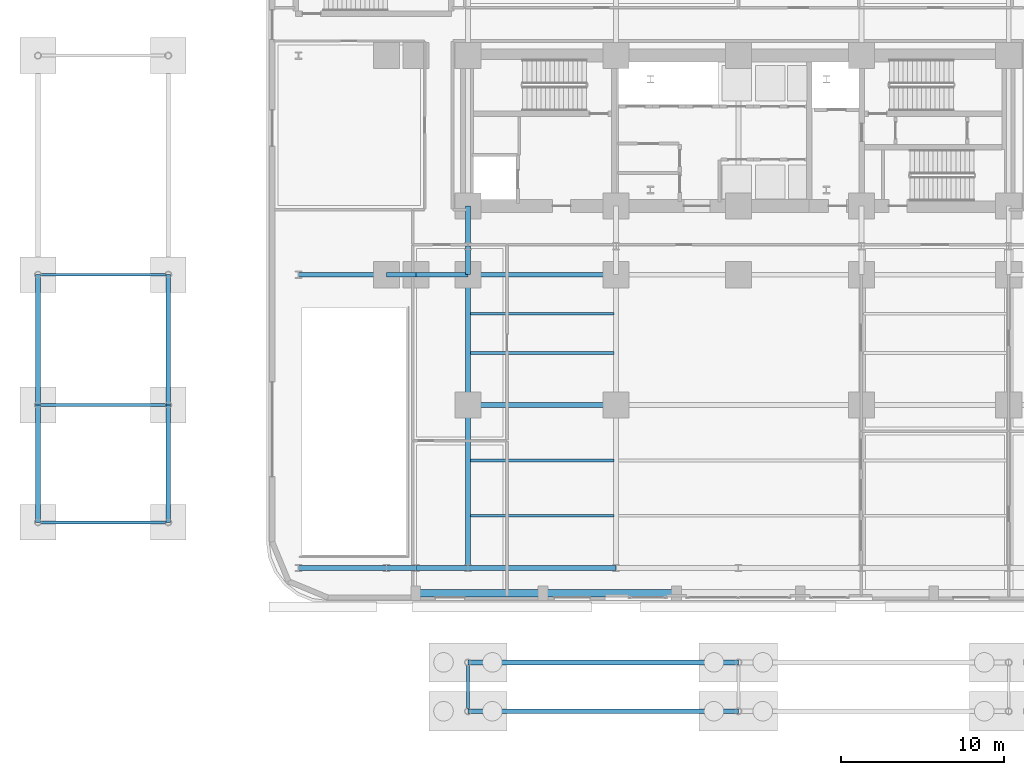
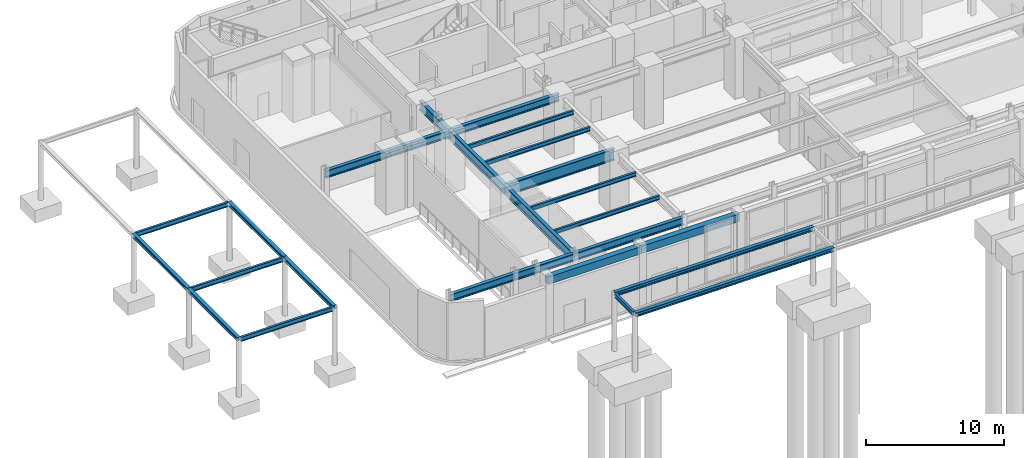
# One storey, part 7 of 21: 29 beams.
"""IFC4 building model written with IfcOpenShell, lengths in metres."""

from ifc_helpers import new_model, si_unit, direction, frame, origin, origin_2d, place, context, subcontext, project, spatial, rectangle, i_section, extrude, material, material_profile, profile_set, type_object, element, save


model = new_model("IFC4")

# Units and contexts
model_context = context("Model", 3, precision=1e-05, world=origin(), true_north=direction((0.0, 1.0)))
body_context = subcontext(model_context, "Body", "Model", "MODEL_VIEW")
ifc_project = project(units=[si_unit("LENGTHUNIT", "METRE"), si_unit("AREAUNIT", "SQUARE_METRE"), si_unit("VOLUMEUNIT", "CUBIC_METRE"), si_unit("PLANEANGLEUNIT", "RADIAN"), si_unit("MASSUNIT", "GRAM", prefix="KILO")], contexts=[model_context])

# Site, building, storey
site_placement = place(None, origin())
site = spatial("IfcSite", under=ifc_project, at=site_placement, CompositionType="ELEMENT")
building_placement = place(site_placement, origin())
building = spatial("IfcBuilding", under=site, at=building_placement, Name="Zarnavel Station Tower", CompositionType="ELEMENT")
storey_placement = place(building_placement, origin())
storey = spatial("IfcBuildingStorey", under=building, at=storey_placement, Name="L01", CompositionType="ELEMENT", Elevation=0.0)

# Beams
ifc_material_1 = material(Name="Steel S355J2", Category="steel")
ifc_material_profile_1 = material_profile(ifc_material_1, i_section(OverallWidth=0.300048828125, OverallDepth=0.320068359375, WebThickness=0.011474609375, FlangeThickness=0.0205078125, FilletRadius=0.027099609375, at=origin_2d()), Name="HEB320")
ifc_profile_set_1 = profile_set([ifc_material_profile_1], Name="Steel S355J2")
beam_type_1 = type_object("IfcBeamType", Name="EB_HEB320", PredefinedType="SPANDREL", material=ifc_profile_set_1)
beam_1_placement = place(storey_placement, frame((-6.199951171875, 8.39990234375, 5.0), z_axis=(0.0, 1.0, 0.0), x_axis=(-1.0, 0.0, 0.0)))
element("IfcBeam", 1, at=beam_1_placement, inside=storey, type_object=beam_type_1, Name="West Forecourt Canopy Girder 1-01", PredefinedType="SPANDREL", context=body_context, shape_type="SweptSolid", body=[
    extrude(i_section(OverallWidth=0.300048828125, OverallDepth=0.320068359375, WebThickness=0.011474609375, FlangeThickness=0.0205078125, FilletRadius=0.027099609375, at=origin_2d()), origin(), (0.0, 0.0, 1.0), 7.2001953125),
])
beam_2_placement = place(storey_placement, frame((-6.199951171875, 15.60009765625, 5.0), z_axis=(0.0, 1.0, 0.0), x_axis=(-1.0, 0.0, 0.0)))
element("IfcBeam", 2, at=beam_2_placement, inside=storey, type_object=beam_type_1, Name="West Forecourt Canopy Girder 1-02", PredefinedType="SPANDREL", context=body_context, shape_type="SweptSolid", body=[
    extrude(i_section(OverallWidth=0.300048828125, OverallDepth=0.320068359375, WebThickness=0.011474609375, FlangeThickness=0.0205078125, FilletRadius=0.027099609375, at=origin_2d()), origin(), (0.0, 0.0, 1.0), 8.0),
])
beam_3_placement = place(storey_placement, frame((-14.199951171875, 8.39990234375, 5.0), z_axis=(0.0, 1.0, 0.0), x_axis=(-1.0, 0.0, 0.0)))
element("IfcBeam", 3, at=beam_3_placement, inside=storey, type_object=beam_type_1, Name="West Forecourt Canopy Girder 2-01", PredefinedType="SPANDREL", context=body_context, shape_type="SweptSolid", body=[
    extrude(i_section(OverallWidth=0.300048828125, OverallDepth=0.320068359375, WebThickness=0.011474609375, FlangeThickness=0.0205078125, FilletRadius=0.027099609375, at=origin_2d()), origin(), (0.0, 0.0, 1.0), 7.2001953125),
])
beam_4_placement = place(storey_placement, frame((-14.199951171875, 15.60009765625, 5.0), z_axis=(0.0, 1.0, 0.0), x_axis=(-1.0, 0.0, 0.0)))
element("IfcBeam", 4, at=beam_4_placement, inside=storey, type_object=beam_type_1, Name="West Forecourt Canopy Girder 2-02", PredefinedType="SPANDREL", context=body_context, shape_type="SweptSolid", body=[
    extrude(i_section(OverallWidth=0.300048828125, OverallDepth=0.320068359375, WebThickness=0.011474609375, FlangeThickness=0.0205078125, FilletRadius=0.027099609375, at=origin_2d()), origin(), (0.0, 0.0, 1.0), 8.0),
])
ifc_material_2 = material(Name="Steel S355J2", Category="steel")
ifc_material_profile_2 = material_profile(ifc_material_2, i_section(OverallWidth=0.300048828125, OverallDepth=0.360107421875, WebThickness=0.012451171875, FlangeThickness=0.0224609375, FilletRadius=0.027099609375, at=origin_2d()), Name="HEB360")
ifc_profile_set_2 = profile_set([ifc_material_profile_2], Name="Steel S355J2")
beam_type_2 = type_object("IfcBeamType", Name="EB_HEB360", PredefinedType="SPANDREL", material=ifc_profile_set_2)
for number, where, z_axis, x_axis, name in (
    (5, (12.199951171875, -3.199951171875, 4.97998046875), (1.0, 0.0, 0.0), (0.0, 1.0, 0.0), "Station Portal Canopy Girder 1-01"),
    (6, (12.199951171875, -0.199951171875, 4.97998046875), (1.0, 0.0, 0.0), (0.0, 1.0, 0.0), "Station Portal Canopy Girder 2-01"),
):
    element("IfcBeam", number, at=place(storey_placement, frame(where, z_axis=z_axis, x_axis=x_axis)), inside=storey, type_object=beam_type_2, Name=name, PredefinedType="SPANDREL", context=body_context, shape_type="SweptSolid", body=[
        extrude(i_section(OverallWidth=0.300048828125, OverallDepth=0.360107421875, WebThickness=0.012451171875, FlangeThickness=0.0224609375, FilletRadius=0.027099609375, at=origin_2d()), origin(), (0.0, 0.0, 1.0), 16.60009765625),
    ])
ifc_material_3 = material(Name="Steel S355J2", Category="steel")
ifc_material_profile_3 = material_profile(ifc_material_3, i_section(OverallWidth=0.179931640625, OverallDepth=0.39990234375, WebThickness=0.008544921875, FlangeThickness=0.013427734375, FilletRadius=0.02099609375, at=origin_2d()), Name="IPE400")
ifc_profile_set_3 = profile_set([ifc_material_profile_3], Name="Steel S355J2")
beam_type_3 = type_object("IfcBeamType", Name="FB_IPE400", PredefinedType="BEAM", material=ifc_profile_set_3)
beam_5_placement = place(storey_placement, frame((12.199951171875, -3.054931640625, 4.9599609375), z_axis=(0.0, 1.0, 0.0), x_axis=(-1.0, 0.0, 0.0)))
element("IfcBeam", 7, at=beam_5_placement, inside=storey, type_object=beam_type_3, Name="Station Portal Tie Beam 01", PredefinedType="BEAM", context=body_context, shape_type="SweptSolid", body=[
    extrude(i_section(OverallWidth=0.179931640625, OverallDepth=0.39990234375, WebThickness=0.008544921875, FlangeThickness=0.013427734375, FilletRadius=0.02099609375, at=origin_2d()), origin(), (0.0, 0.0, 1.0), 2.7099609375),
])
for number, where, z_axis, x_axis, name in (
    (8, (-14.054931640625, 8.39990234375, 4.9599609375), (1.0, 0.0, 0.0), (0.0, 1.0, 0.0), "West Canopy Tie 01"),
    (9, (-14.054931640625, 15.60009765625, 4.9599609375), (1.0, 0.0, 0.0), (0.0, 1.0, 0.0), "West Canopy Tie 02"),
    (10, (-14.054931640625, 23.60009765625, 4.9599609375), (1.0, 0.0, 0.0), (0.0, 1.0, 0.0), "West Canopy Tie 03"),
):
    element("IfcBeam", number, at=place(storey_placement, frame(where, z_axis=z_axis, x_axis=x_axis)), inside=storey, type_object=beam_type_3, Name=name, PredefinedType="BEAM", context=body_context, shape_type="SweptSolid", body=[
        extrude(i_section(OverallWidth=0.179931640625, OverallDepth=0.39990234375, WebThickness=0.008544921875, FlangeThickness=0.013427734375, FilletRadius=0.02099609375, at=origin_2d()), origin(), (0.0, 0.0, 1.0), 7.7099609375),
    ])
ifc_material_4 = material(Name="Steel S355J2", Category="steel")
ifc_material_profile_4 = material_profile(ifc_material_4, i_section(OverallWidth=0.300048828125, OverallDepth=0.64990234375, WebThickness=0.01611328125, FlangeThickness=0.031005859375, FilletRadius=0.027099609375, at=origin_2d()), Name="HEB650")
ifc_profile_set_4 = profile_set([ifc_material_profile_4], Name="Steel S355J2")
beam_type_4 = type_object("IfcBeamType", Name="FG_HEB650", PredefinedType="USERDEFINED", material=ifc_profile_set_4)
beam_6_placement = place(storey_placement, frame((1.800048828125, 5.60009765625, 4.77490234375), z_axis=(1.0, 0.0, 0.0), x_axis=(0.0, 1.0, 0.0)))
element("IfcBeam", 11, at=beam_6_placement, inside=storey, type_object=beam_type_4, Name="L01 EW Frame Girder 1-1", ObjectType="GIRDER", PredefinedType="USERDEFINED", context=body_context, shape_type="SweptSolid", body=[
    extrude(i_section(OverallWidth=0.300048828125, OverallDepth=0.64990234375, WebThickness=0.01611328125, FlangeThickness=0.031005859375, FilletRadius=0.027099609375, at=origin_2d()), origin(), (0.0, 0.0, 1.0), 5.39990234375),
])
beam_7_placement = place(storey_placement, frame((7.199951171875, 5.60009765625, 4.77490234375), z_axis=(1.0, 0.0, 0.0), x_axis=(0.0, 1.0, 0.0)))
element("IfcBeam", 12, at=beam_7_placement, inside=storey, type_object=beam_type_4, Name="L01 EW Frame Girder 1-2", ObjectType="GIRDER", PredefinedType="USERDEFINED", context=body_context, shape_type="SweptSolid", body=[
    extrude(i_section(OverallWidth=0.300048828125, OverallDepth=0.64990234375, WebThickness=0.01611328125, FlangeThickness=0.031005859375, FilletRadius=0.027099609375, at=origin_2d()), origin(), (0.0, 0.0, 1.0), 1.800048828125),
])
beam_8_placement = place(storey_placement, frame((9.0, 5.60009765625, 4.77490234375), z_axis=(1.0, 0.0, 0.0), x_axis=(0.0, 1.0, 0.0)))
element("IfcBeam", 13, at=beam_8_placement, inside=storey, type_object=beam_type_4, Name="L01 EW Frame Girder 1-3", ObjectType="GIRDER", PredefinedType="USERDEFINED", context=body_context, shape_type="SweptSolid", body=[
    extrude(i_section(OverallWidth=0.300048828125, OverallDepth=0.64990234375, WebThickness=0.01611328125, FlangeThickness=0.031005859375, FilletRadius=0.027099609375, at=origin_2d()), origin(), (0.0, 0.0, 1.0), 3.199951171875),
])
beam_9_placement = place(storey_placement, frame((12.199951171875, 5.60009765625, 4.77490234375), z_axis=(1.0, 0.0, 0.0), x_axis=(0.0, 1.0, 0.0)))
element("IfcBeam", 14, at=beam_9_placement, inside=storey, type_object=beam_type_4, Name="L01 EW Frame Girder 1-4", ObjectType="GIRDER", PredefinedType="USERDEFINED", context=body_context, shape_type="SweptSolid", body=[
    extrude(i_section(OverallWidth=0.300048828125, OverallDepth=0.64990234375, WebThickness=0.01611328125, FlangeThickness=0.031005859375, FilletRadius=0.027099609375, at=origin_2d()), origin(), (0.0, 0.0, 1.0), 9.10009765625),
])
beam_10_placement = place(storey_placement, frame((1.800048828125, 23.60009765625, 4.77490234375), z_axis=(1.0, 0.0, 0.0), x_axis=(0.0, 1.0, 0.0)))
element("IfcBeam", 15, at=beam_10_placement, inside=storey, type_object=beam_type_4, Name="L01 EW Frame Girder 2-1", ObjectType="GIRDER", PredefinedType="USERDEFINED", context=body_context, shape_type="SweptSolid", body=[
    extrude(i_section(OverallWidth=0.300048828125, OverallDepth=0.64990234375, WebThickness=0.01611328125, FlangeThickness=0.031005859375, FilletRadius=0.027099609375, at=origin_2d()), origin(), (0.0, 0.0, 1.0), 5.39990234375),
])
beam_11_placement = place(storey_placement, frame((7.199951171875, 23.60009765625, 4.77490234375), z_axis=(1.0, 0.0, 0.0), x_axis=(0.0, 1.0, 0.0)))
element("IfcBeam", 16, at=beam_11_placement, inside=storey, type_object=beam_type_4, Name="L01 EW Frame Girder 2-2", ObjectType="GIRDER", PredefinedType="USERDEFINED", context=body_context, shape_type="SweptSolid", body=[
    extrude(i_section(OverallWidth=0.300048828125, OverallDepth=0.64990234375, WebThickness=0.01611328125, FlangeThickness=0.031005859375, FilletRadius=0.027099609375, at=origin_2d()), origin(), (0.0, 0.0, 1.0), 1.800048828125),
])
beam_12_placement = place(storey_placement, frame((9.0, 23.60009765625, 4.77490234375), z_axis=(1.0, 0.0, 0.0), x_axis=(0.0, 1.0, 0.0)))
element("IfcBeam", 17, at=beam_12_placement, inside=storey, type_object=beam_type_4, Name="L01 EW Frame Girder 2-3", ObjectType="GIRDER", PredefinedType="USERDEFINED", context=body_context, shape_type="SweptSolid", body=[
    extrude(i_section(OverallWidth=0.300048828125, OverallDepth=0.64990234375, WebThickness=0.01611328125, FlangeThickness=0.031005859375, FilletRadius=0.027099609375, at=origin_2d()), origin(), (0.0, 0.0, 1.0), 3.199951171875),
])
beam_13_placement = place(storey_placement, frame((12.199951171875, 23.60009765625, 4.77490234375), z_axis=(1.0, 0.0, 0.0), x_axis=(0.0, 1.0, 0.0)))
element("IfcBeam", 18, at=beam_13_placement, inside=storey, type_object=beam_type_4, Name="L01 EW Frame Girder 2-4", ObjectType="GIRDER", PredefinedType="USERDEFINED", context=body_context, shape_type="SweptSolid", body=[
    extrude(i_section(OverallWidth=0.300048828125, OverallDepth=0.64990234375, WebThickness=0.01611328125, FlangeThickness=0.031005859375, FilletRadius=0.027099609375, at=origin_2d()), origin(), (0.0, 0.0, 1.0), 9.10009765625),
])
ifc_material_5 = material(Name="Steel S460M", Category="steel")
ifc_material_profile_5 = material_profile(ifc_material_5, i_section(OverallWidth=0.302978515625, OverallDepth=0.81396484375, WebThickness=0.02099609375, FlangeThickness=0.0400390625, FilletRadius=0.030029296875, at=origin_2d()), Name="HEM800")
ifc_profile_set_5 = profile_set([ifc_material_profile_5], Name="Steel S460M")
beam_type_5 = type_object("IfcBeamType", Name="FG_HEM800", PredefinedType="USERDEFINED", material=ifc_profile_set_5)
beam_14_placement = place(storey_placement, frame((12.199951171875, 5.60009765625, 4.693115234375), z_axis=(0.0, 1.0, 0.0), x_axis=(-1.0, 0.0, 0.0)))
element("IfcBeam", 19, at=beam_14_placement, inside=storey, type_object=beam_type_5, Name="L01 NS Girder South 1", ObjectType="GIRDER", PredefinedType="USERDEFINED", context=body_context, shape_type="SweptSolid", body=[
    extrude(i_section(OverallWidth=0.302978515625, OverallDepth=0.81396484375, WebThickness=0.02099609375, FlangeThickness=0.0400390625, FilletRadius=0.030029296875, at=origin_2d()), origin(), (0.0, 0.0, 1.0), 10.0),
])
beam_15_placement = place(storey_placement, frame((12.199951171875, 15.60009765625, 4.693115234375), z_axis=(0.0, 1.0, 0.0), x_axis=(-1.0, 0.0, 0.0)))
element("IfcBeam", 20, at=beam_15_placement, inside=storey, type_object=beam_type_5, Name="L01 NS Girder Mid 1", ObjectType="GIRDER", PredefinedType="USERDEFINED", context=body_context, shape_type="SweptSolid", body=[
    extrude(i_section(OverallWidth=0.302978515625, OverallDepth=0.81396484375, WebThickness=0.02099609375, FlangeThickness=0.0400390625, FilletRadius=0.030029296875, at=origin_2d()), origin(), (0.0, 0.0, 1.0), 8.0),
])
beam_16_placement = place(storey_placement, frame((12.199951171875, 23.60009765625, 4.693115234375), z_axis=(0.0, 1.0, 0.0), x_axis=(-1.0, 0.0, 0.0)))
element("IfcBeam", 21, at=beam_16_placement, inside=storey, type_object=beam_type_5, Name="L01 NS Girder Spine 1", ObjectType="GIRDER", PredefinedType="USERDEFINED", context=body_context, shape_type="SweptSolid", body=[
    extrude(i_section(OverallWidth=0.302978515625, OverallDepth=0.81396484375, WebThickness=0.02099609375, FlangeThickness=0.0400390625, FilletRadius=0.030029296875, at=origin_2d()), origin(), (0.0, 0.0, 1.0), 1.75),
])
beam_17_placement = place(storey_placement, frame((12.199951171875, 25.35009765625, 4.693115234375), z_axis=(0.0, 1.0, 0.0), x_axis=(-1.0, 0.0, 0.0)))
element("IfcBeam", 22, at=beam_17_placement, inside=storey, type_object=beam_type_5, Name="L01 NS Girder Core 1", ObjectType="GIRDER", PredefinedType="USERDEFINED", context=body_context, shape_type="SweptSolid", body=[
    extrude(i_section(OverallWidth=0.302978515625, OverallDepth=0.81396484375, WebThickness=0.02099609375, FlangeThickness=0.0400390625, FilletRadius=0.030029296875, at=origin_2d()), origin(), (0.0, 0.0, 1.0), 2.469970703125),
])
ifc_material_6 = material(Name="Steel S355J2", Category="steel")
ifc_material_profile_6 = material_profile(ifc_material_6, i_section(OverallWidth=0.169921875, OverallDepth=0.360107421875, WebThickness=0.008056640625, FlangeThickness=0.0126953125, FilletRadius=0.01806640625, at=origin_2d()), Name="IPE360")
ifc_profile_set_6 = profile_set([ifc_material_profile_6], Name="Steel S355J2")
beam_type_6 = type_object("IfcBeamType", Name="FJ_IPE360", PredefinedType="JOIST", material=ifc_profile_set_6)
for number, where, z_axis, x_axis, name in (
    (23, (12.344970703125, 8.800048828125, 4.919921875), (1.0, 0.0, 0.0), (0.0, 1.0, 0.0), "L01 Floor Joist W1"),
    (24, (12.344970703125, 12.199951171875, 4.919921875), (1.0, 0.0, 0.0), (0.0, 1.0, 0.0), "L01 Floor Joist W2"),
    (25, (12.344970703125, 18.800048828125, 4.919921875), (1.0, 0.0, 0.0), (0.0, 1.0, 0.0), "L01 West Joist 3"),
    (26, (12.344970703125, 21.199951171875, 4.919921875), (1.0, 0.0, 0.0), (0.0, 1.0, 0.0), "L01 West Joist 4"),
):
    element("IfcBeam", number, at=place(storey_placement, frame(where, z_axis=z_axis, x_axis=x_axis)), inside=storey, type_object=beam_type_6, Name=name, PredefinedType="JOIST", context=body_context, shape_type="SweptSolid", body=[
        extrude(i_section(OverallWidth=0.169921875, OverallDepth=0.360107421875, WebThickness=0.008056640625, FlangeThickness=0.0126953125, FilletRadius=0.01806640625, at=origin_2d()), origin(), (0.0, 0.0, 1.0), 8.81005859375),
    ])
ifc_material_7 = material(Name="Precast concrete C45/55", Category="concrete")
ifc_material_profile_7 = material_profile(ifc_material_7, rectangle(XDim=0.449951171875, YDim=0.64990234375, at=origin_2d()), Name="RC450x650")
ifc_profile_set_7 = profile_set([ifc_material_profile_7], Name="Precast concrete C45/55")
beam_type_7 = type_object("IfcBeamType", Name="LN_RC450x650", PredefinedType="LINTEL", material=ifc_profile_set_7)
beam_18_placement = place(storey_placement, frame((9.0, 4.050048828125, 4.77490234375), z_axis=(1.0, 0.0, 0.0), x_axis=(0.0, 1.0, 0.0)))
element("IfcBeam", 27, at=beam_18_placement, inside=storey, type_object=beam_type_7, Name="L01 Portal Arcade Lintel 1", PredefinedType="LINTEL", context=body_context, shape_type="SweptSolid", body=[
    extrude(rectangle(XDim=0.449951171875, YDim=0.64990234375, at=origin_2d()), origin(), (0.0, 0.0, 1.0), 7.800048828125),
])
beam_19_placement = place(storey_placement, frame((16.800048828125, 4.050048828125, 4.77490234375), z_axis=(1.0, 0.0, 0.0), x_axis=(0.0, 1.0, 0.0)))
element("IfcBeam", 28, at=beam_19_placement, inside=storey, type_object=beam_type_7, Name="L01 Portal Arcade Lintel 2", PredefinedType="LINTEL", context=body_context, shape_type="SweptSolid", body=[
    extrude(rectangle(XDim=0.449951171875, YDim=0.64990234375, at=origin_2d()), origin(), (0.0, 0.0, 1.0), 8.199951171875),
])
ifc_material_8 = material(Name="Steel S460M", Category="steel")
ifc_material_profile_8 = material_profile(ifc_material_8, i_section(OverallWidth=0.302001953125, OverallDepth=1.008056640625, WebThickness=0.02099609375, FlangeThickness=0.0400390625, FilletRadius=0.030029296875, at=origin_2d()), Name="HEM1000")
ifc_profile_set_8 = profile_set([ifc_material_profile_8], Name="Steel S460M")
beam_type_8 = type_object("IfcBeamType", Name="TG_HEM1000", PredefinedType="USERDEFINED", material=ifc_profile_set_8)
beam_20_placement = place(storey_placement, frame((12.199951171875, 15.60009765625, 4.595947265625), z_axis=(1.0, 0.0, 0.0), x_axis=(0.0, 1.0, 0.0)))
element("IfcBeam", 29, at=beam_20_placement, inside=storey, type_object=beam_type_8, Name="L01 West Hall Girder", ObjectType="GIRDER", PredefinedType="USERDEFINED", context=body_context, shape_type="SweptSolid", body=[
    extrude(i_section(OverallWidth=0.302001953125, OverallDepth=1.008056640625, WebThickness=0.02099609375, FlangeThickness=0.0400390625, FilletRadius=0.030029296875, at=origin_2d()), origin(), (0.0, 0.0, 1.0), 9.10009765625),
])

save(model, "model.ifc")
